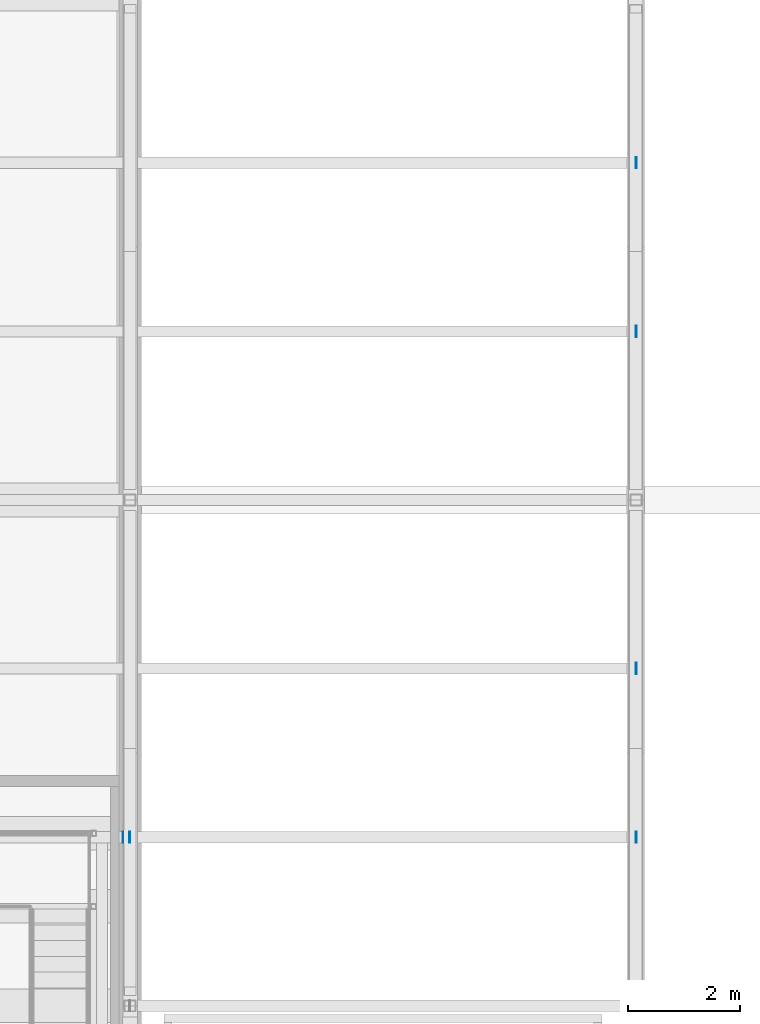
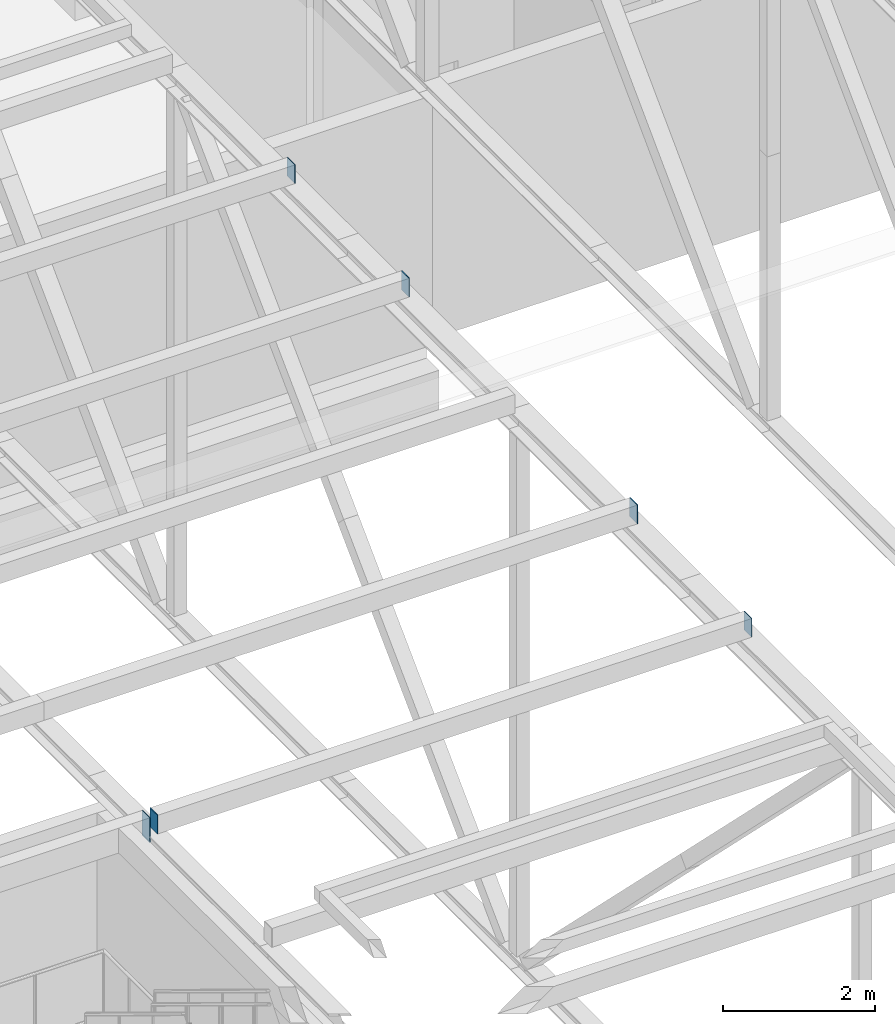
# One storey, part 196 of 646: 6 discrete accessories.
"""IFC4 building model written with IfcOpenShell, lengths in metres."""

from ifc_helpers import new_model, si_unit, direction, frame, origin, origin_2d, place, context, subcontext, project, spatial, rectangle, extrude, material, layer, layer_set, type_object, element, save


model = new_model("IFC4")

# Units and contexts
model_context = context("Model", 3, precision=1e-05, world=origin(), true_north=direction((0.0, 1.0)))
body_context = subcontext(model_context, "Body", "Model", "MODEL_VIEW")
ifc_project = project(units=[si_unit("LENGTHUNIT", "METRE"), si_unit("AREAUNIT", "SQUARE_METRE"), si_unit("VOLUMEUNIT", "CUBIC_METRE"), si_unit("PLANEANGLEUNIT", "RADIAN"), si_unit("MASSUNIT", "GRAM", prefix="KILO")], contexts=[model_context])

# Site, building, storey
site_placement = place(None, origin())
site = spatial("IfcSite", under=ifc_project, at=site_placement, CompositionType="ELEMENT")
building_placement = place(site_placement, origin())
building = spatial("IfcBuilding", under=site, at=building_placement, Name="Silverbay Arena", CompositionType="ELEMENT")
storey_placement = place(building_placement, frame((0.0, 0.0, 33.5)))
storey = spatial("IfcBuildingStorey", under=building, at=storey_placement, Name="L05", CompositionType="ELEMENT", Elevation=33.5)

# Discrete accessories
ifc_material = material(Name="Steel S355", Category="steel")
ifc_layer = layer(ifc_material, 0.011962890625)
ifc_layer_set = layer_set([ifc_layer], Name="Steel S355")
discrete_accessory_type = type_object("IfcDiscreteAccessoryType", Name="Purlin end plate 12", PredefinedType="USERDEFINED", material=ifc_layer_set)
discrete_accessory_placement = place(storey_placement, frame((71.87060546875, 75.0, 13.10009765625), z_axis=(1.0, 0.0, 0.0), x_axis=(0.0, 1.0, 0.0)))
element("IfcDiscreteAccessory", 1, at=discrete_accessory_placement, inside=storey, type_object=discrete_accessory_type, Name="Purlin end plate", ObjectType="END PLATE", PredefinedType="USERDEFINED", context=body_context, shape_type="SweptSolid", body=[
    extrude(rectangle(XDim=0.199951171875, YDim=0.39990234375, at=origin_2d()), origin(), (0.0, 0.0, 1.0), 0.011962890625),
])
for number, where, z_axis, x_axis, name in (
    (2, (81.0, 75.0, 13.14990234375), (1.0, 0.0, 0.0), (0.0, 1.0, 0.0), "Purlin end plate"),
    (3, (72.0, 75.0, 13.14990234375), (-1.0, 0.0, 0.0), (0.0, -1.0, 0.0), "Purlin end plate"),
    (4, (81.0, 78.0, 13.14990234375), (1.0, 0.0, 0.0), (0.0, 1.0, 0.0), "Purlin end plate"),
    (5, (81.0, 84.0, 13.14990234375), (1.0, 0.0, 0.0), (0.0, 1.0, 0.0), "Purlin end plate"),
    (6, (81.0, 87.0, 13.14990234375), (1.0, 0.0, 0.0), (0.0, 1.0, 0.0), "Purlin end plate"),
):
    element("IfcDiscreteAccessory", number, at=place(storey_placement, frame(where, z_axis=z_axis, x_axis=x_axis)), inside=storey, type_object=discrete_accessory_type, Name=name, ObjectType="END PLATE", PredefinedType="USERDEFINED", context=body_context, shape_type="SweptSolid", body=[
        extrude(rectangle(XDim=0.199951171875, YDim=0.300048828125, at=origin_2d()), origin(), (0.0, 0.0, 1.0), 0.011962890625),
    ])

save(model, "model.ifc")
